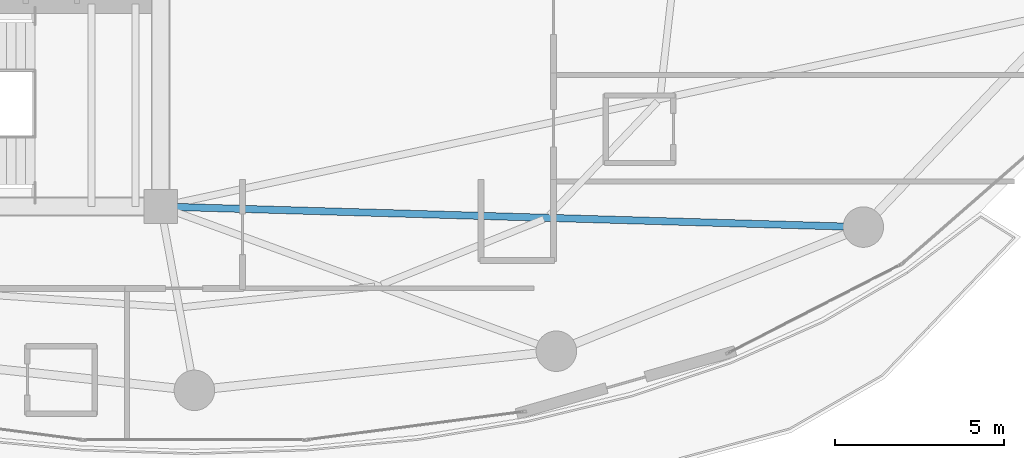
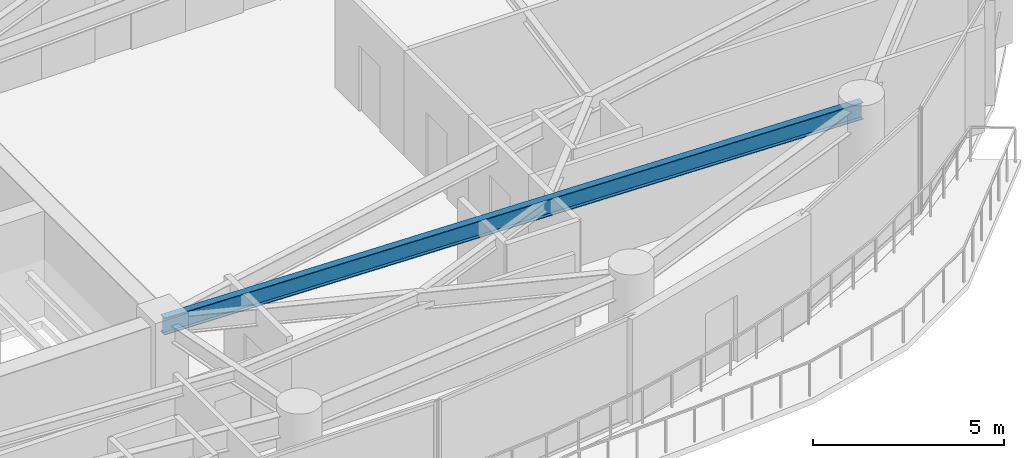
# One storey, part 10 of 31: 1 beam.
"""IFC4 building model written with IfcOpenShell, lengths in metres."""

from ifc_helpers import new_model, si_unit, direction, frame, origin, origin_2d, place, context, subcontext, project, spatial, i_section, extrude, material, material_profile, profile_set, type_object, element, save


model = new_model("IFC4")

# Units and contexts
model_context = context("Model", 3, precision=1e-05, world=origin(), true_north=direction((0.0, 1.0)))
body_context = subcontext(model_context, "Body", "Model", "MODEL_VIEW")
ifc_project = project(units=[si_unit("LENGTHUNIT", "METRE"), si_unit("AREAUNIT", "SQUARE_METRE"), si_unit("VOLUMEUNIT", "CUBIC_METRE"), si_unit("PLANEANGLEUNIT", "RADIAN"), si_unit("MASSUNIT", "GRAM", prefix="KILO")], contexts=[model_context])

# Site, building, storey
site_placement = place(None, origin())
site = spatial("IfcSite", under=ifc_project, at=site_placement, CompositionType="ELEMENT")
building_placement = place(site_placement, origin())
building = spatial("IfcBuilding", under=site, at=building_placement, Name="Kazevale Care Tower and Concert Hall", CompositionType="ELEMENT")
storey_placement = place(building_placement, frame((0.0, 0.0, 117.0)))
storey = spatial("IfcBuildingStorey", under=building, at=storey_placement, Name="L30", CompositionType="ELEMENT", Elevation=117.0)

# Beam
ifc_material = material(Name="Steel ASTM A572 Gr 50", Category="steel")
ifc_material_profile = material_profile(ifc_material, i_section(OverallWidth=0.2119140625, OverallDepth=0.5439453125, WebThickness=0.01318359375, FlangeThickness=0.021240234375, at=origin_2d()), Name="W530x123")
ifc_profile_set = profile_set([ifc_material_profile], Name="Steel ASTM A572 Gr 50")
beam_type = type_object("IfcBeamType", Name="Radial Floor Girder W530x123", PredefinedType="BEAM", material=ifc_profile_set)
beam_placement = place(storey_placement, frame((44.0, 23.60009765625, 3.087890625), z_axis=(0.99957133157, -0.029277177187, 0.0), x_axis=(0.029277177187, 0.99957133157, 0.0)))
element("IfcBeam", 1, at=beam_placement, inside=storey, type_object=beam_type, Name="beam:L30:rad:15", PredefinedType="BEAM", context=body_context, shape_type="SweptSolid", body=[
    extrude(i_section(OverallWidth=0.2119140625, OverallDepth=0.5439453125, WebThickness=0.01318359375, FlangeThickness=0.021240234375, at=origin_2d()), origin(), (0.0, 0.0, 1.0), 20.839111328125),
])

save(model, "model.ifc")
